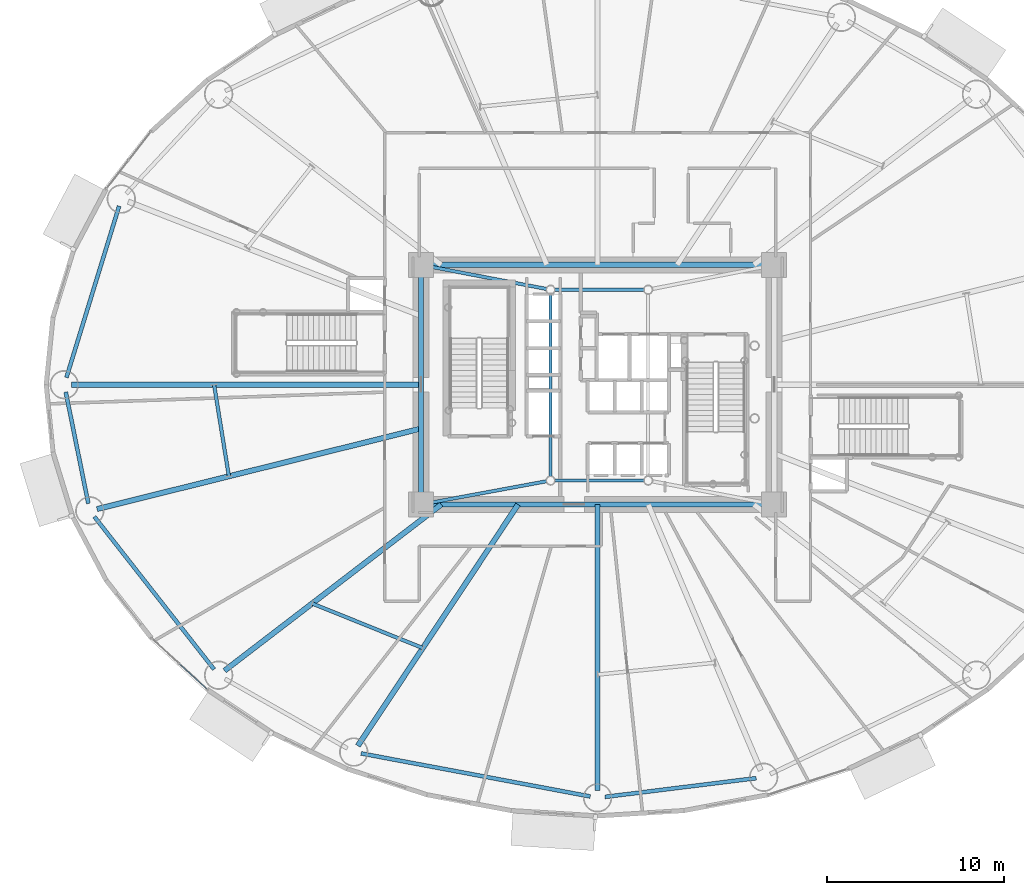
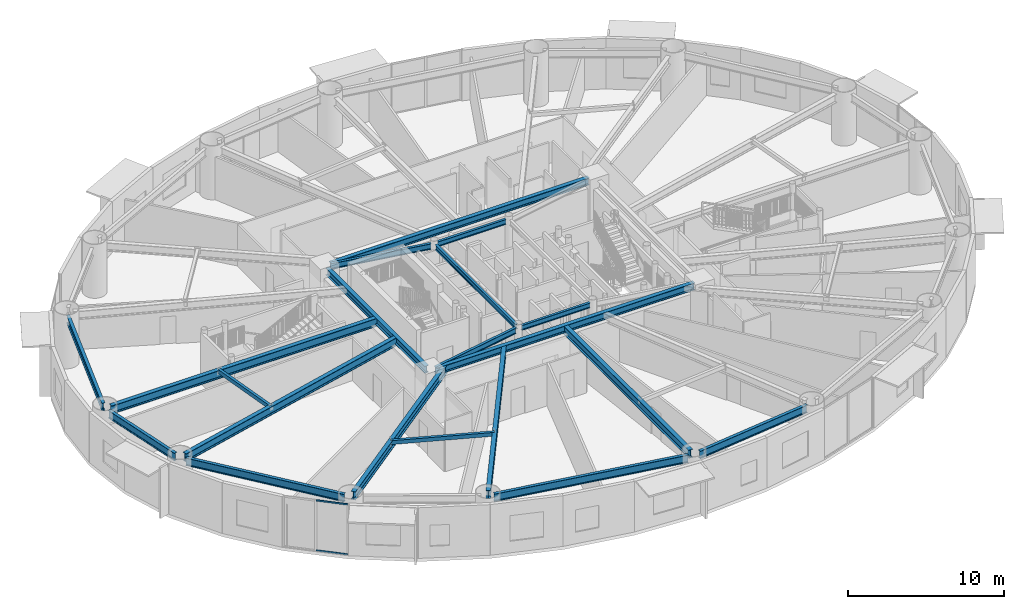
# One storey, part 5 of 32: 20 beams, 2 members, 1 element without a shape of its own.
"""IFC4 building model written with IfcOpenShell, lengths in metres."""

from ifc_helpers import new_model, si_unit, direction, frame, origin, origin_2d, place, context, subcontext, project, spatial, hollow_rectangle, i_section, extrude, source, transform, mapped, material, layer, layer_set, material_profile, profile_set, type_object, element, aggregate, save


model = new_model("IFC4")

# Units and contexts
model_context = context("Model", 3, precision=1e-05, world=origin(), true_north=direction((0.0, 1.0)))
body_context = subcontext(model_context, "Body", "Model", "MODEL_VIEW")
ifc_project = project(units=[si_unit("LENGTHUNIT", "METRE"), si_unit("AREAUNIT", "SQUARE_METRE"), si_unit("VOLUMEUNIT", "CUBIC_METRE"), si_unit("PLANEANGLEUNIT", "RADIAN"), si_unit("MASSUNIT", "GRAM", prefix="KILO")], contexts=[model_context])

# Site, building, storey
site_placement = place(None, origin())
site = spatial("IfcSite", under=ifc_project, at=site_placement, CompositionType="ELEMENT")
building_placement = place(site_placement, origin())
building = spatial("IfcBuilding", under=site, at=building_placement, Name="Linh Dai School and Residence Tower", CompositionType="ELEMENT")
storey_placement = place(building_placement, frame((0.0, 0.0, 53.39990234375)))
storey = spatial("IfcBuildingStorey", under=building, at=storey_placement, Name="L12", CompositionType="ELEMENT", Elevation=53.39990234375)

# Beams
ifc_material_1 = material(Name="Structural Steel S355JR", Category="steel")
ifc_material_profile_1 = material_profile(ifc_material_1, hollow_rectangle(XDim=0.199951171875, YDim=0.300048828125, WallThickness=0.010009765625, at=origin_2d()), Name="RHS 300x200x10")
ifc_profile_set_1 = profile_set([ifc_material_profile_1], Name="Structural Steel S355JR")
beam_type_1 = type_object("IfcBeamType", Name="BM-BX3", PredefinedType="BEAM", material=ifc_profile_set_1)
beam_1_placement = place(storey_placement, frame((14.392822265625, 26.9951171875, 3.800048828125), z_axis=(0.159632523434, -0.987176507754, 0.0), x_axis=(0.987176507754, 0.159632523434, 0.0)))
element("IfcBeam", 1, at=beam_1_placement, inside=storey, type_object=beam_type_1, Name="L12 Secondary Circumferential Floor Beam 05", PredefinedType="BEAM", context=body_context, shape_type="SweptSolid", body=[
    extrude(hollow_rectangle(XDim=0.199951171875, YDim=0.300048828125, WallThickness=0.010009765625, at=origin_2d()), origin(), (0.0, 0.0, 1.0), 5.21826171875),
])
beam_2_placement = place(storey_placement, frame((19.921875, 14.6689453125, 3.800048828125), z_axis=(0.927542803202, -0.373716935968, 0.0), x_axis=(0.373716935968, 0.927542803202, 0.0)))
element("IfcBeam", 2, at=beam_2_placement, inside=storey, type_object=beam_type_1, Name="L12 Secondary Circumferential Floor Beam 06", PredefinedType="BEAM", context=body_context, shape_type="SweptSolid", body=[
    extrude(hollow_rectangle(XDim=0.199951171875, YDim=0.300048828125, WallThickness=0.010009765625, at=origin_2d()), origin(), (0.0, 0.0, 1.0), 6.709716796875),
])
ifc_material_profile_2 = material_profile(ifc_material_1, i_section(OverallWidth=0.219970703125, OverallDepth=0.60009765625, WebThickness=0.011962890625, FlangeThickness=0.01904296875, FilletRadius=0.02392578125, at=origin_2d()), Name="IPE 600")
ifc_profile_set_2 = profile_set([ifc_material_profile_2], Name="Structural Steel S355JR")
beam_type_2 = type_object("IfcBeamType", Name="BM-RB60", PredefinedType="BEAM", material=ifc_profile_set_2)
beam_3_placement = place(storey_placement, frame((9.041259765625, 37.062255859375, 3.650146484375), z_axis=(-0.293673329015, -0.95590584046, 0.0), x_axis=(0.95590584046, -0.293673329015, 0.0)))
element("IfcBeam", 3, at=beam_3_placement, inside=storey, type_object=beam_type_2, Name="L12 Perimeter Elliptical Ring Beam 08", PredefinedType="BEAM", context=body_context, shape_type="SweptSolid", body=[
    extrude(i_section(OverallWidth=0.219970703125, OverallDepth=0.60009765625, WebThickness=0.011962890625, FlangeThickness=0.01904296875, FilletRadius=0.02392578125, at=origin_2d()), origin(), (0.0, 0.0, 1.0), 10.1064453125),
])
beam_4_placement = place(storey_placement, frame((6.033447265625, 26.58837890625, 3.650146484375), z_axis=(0.198429171022, -0.980115230005, 0.0), x_axis=(0.980115230005, 0.198429171022, 0.0)))
element("IfcBeam", 4, at=beam_4_placement, inside=storey, type_object=beam_type_2, Name="L12 Perimeter Elliptical Ring Beam 09", PredefinedType="BEAM", context=body_context, shape_type="SweptSolid", body=[
    extrude(i_section(OverallWidth=0.219970703125, OverallDepth=0.60009765625, WebThickness=0.011962890625, FlangeThickness=0.01904296875, FilletRadius=0.02392578125, at=origin_2d()), origin(), (0.0, 0.0, 1.0), 6.41259765625),
])
beam_5_placement = place(storey_placement, frame((7.648193359375, 19.560791015625, 3.650146484375), z_axis=(0.616878670407, -0.787058260866, 0.0), x_axis=(0.787058260866, 0.616878670407, 0.0)))
element("IfcBeam", 5, at=beam_5_placement, inside=storey, type_object=beam_type_2, Name="L12 Perimeter Elliptical Ring Beam 10", PredefinedType="BEAM", context=body_context, shape_type="SweptSolid", body=[
    extrude(i_section(OverallWidth=0.219970703125, OverallDepth=0.60009765625, WebThickness=0.011962890625, FlangeThickness=0.01904296875, FilletRadius=0.02392578125, at=origin_2d()), origin(), (0.0, 0.0, 1.0), 10.926025390625),
])
beam_6_placement = place(storey_placement, frame((22.67431640625, 6.223388671875, 3.650146484375), z_axis=(0.982808389171, -0.184628465236, 0.0), x_axis=(0.184628465236, 0.982808389171, 0.0)))
element("IfcBeam", 6, at=beam_6_placement, inside=storey, type_object=beam_type_2, Name="L12 Perimeter Elliptical Ring Beam 12", PredefinedType="BEAM", context=body_context, shape_type="SweptSolid", body=[
    extrude(i_section(OverallWidth=0.219970703125, OverallDepth=0.60009765625, WebThickness=0.011962890625, FlangeThickness=0.01904296875, FilletRadius=0.02392578125, at=origin_2d()), origin(), (0.0, 0.0, 1.0), 13.138671875),
])
beam_7_placement = place(storey_placement, frame((36.416748046875, 3.771728515625, 3.650146484375), z_axis=(0.99240113372, 0.123044665842, 0.0), x_axis=(-0.123044665842, 0.99240113372, 0.0)))
element("IfcBeam", 7, at=beam_7_placement, inside=storey, type_object=beam_type_2, Name="L12 Perimeter Elliptical Ring Beam 13", PredefinedType="BEAM", context=body_context, shape_type="SweptSolid", body=[
    extrude(i_section(OverallWidth=0.219970703125, OverallDepth=0.60009765625, WebThickness=0.011962890625, FlangeThickness=0.01904296875, FilletRadius=0.02392578125, at=origin_2d()), origin(), (0.0, 0.0, 1.0), 8.58935546875),
])
ifc_material_profile_3 = material_profile(ifc_material_1, i_section(OverallWidth=0.300048828125, OverallDepth=0.550048828125, WebThickness=0.014892578125, FlangeThickness=0.029052734375, FilletRadius=0.027099609375, at=origin_2d()), Name="HEB 550")
ifc_profile_set_3 = profile_set([ifc_material_profile_3], Name="Structural Steel S355JR")
beam_type_3 = type_object("IfcBeamType", Name="BM-RG55", PredefinedType="BEAM", material=ifc_profile_set_3)
for number, where, z_axis, x_axis, name in (
    (8, (26.469970703125, 20.25, 3.675048828125), (1.0, 0.0, 0.0), (0.0, 1.0, 0.0), "L12 Core Perimeter Coupling Girder 1"),
    (9, (45.530029296875, 33.75, 3.675048828125), (-1.0, 0.0, 0.0), (0.0, -1.0, 0.0), "L12 Core Perimeter Coupling Girder 3"),
):
    element("IfcBeam", number, at=place(storey_placement, frame(where, z_axis=z_axis, x_axis=x_axis)), inside=storey, type_object=beam_type_3, Name=name, PredefinedType="BEAM", context=body_context, shape_type="SweptSolid", body=[
        extrude(i_section(OverallWidth=0.300048828125, OverallDepth=0.550048828125, WebThickness=0.014892578125, FlangeThickness=0.029052734375, FilletRadius=0.027099609375, at=origin_2d()), origin(), (0.0, 0.0, 1.0), 19.06005859375),
    ])
beam_8_placement = place(storey_placement, frame((26.050048828125, 33.330078125, 3.675048828125), z_axis=(0.0, -1.0, 0.0), x_axis=(1.0, 0.0, 0.0)))
element("IfcBeam", 10, at=beam_8_placement, inside=storey, type_object=beam_type_3, Name="L12 Core Perimeter Coupling Girder 4", PredefinedType="BEAM", context=body_context, shape_type="SweptSolid", body=[
    extrude(i_section(OverallWidth=0.300048828125, OverallDepth=0.550048828125, WebThickness=0.014892578125, FlangeThickness=0.029052734375, FilletRadius=0.027099609375, at=origin_2d()), origin(), (0.0, 0.0, 1.0), 12.66015625),
])
ifc_material_profile_4 = material_profile(ifc_material_1, i_section(OverallWidth=0.300048828125, OverallDepth=0.64990234375, WebThickness=0.01611328125, FlangeThickness=0.031005859375, FilletRadius=0.027099609375, at=origin_2d()), Name="HEB 650")
ifc_profile_set_4 = profile_set([ifc_material_profile_4], Name="Structural Steel S355JR")
beam_type_4 = type_object("IfcBeamType", Name="BM-RG65", PredefinedType="BEAM", material=ifc_profile_set_4)
beam_9_placement = place(storey_placement, frame((26.050048828125, 27.0, 3.625), z_axis=(-1.0, 0.0, 0.0), x_axis=(0.0, -1.0, 0.0)))
element("IfcBeam", 11, at=beam_9_placement, inside=storey, type_object=beam_type_4, Name="L12 Primary Radial Floor Girder 09", PredefinedType="BEAM", context=body_context, shape_type="SweptSolid", body=[
    extrude(i_section(OverallWidth=0.300048828125, OverallDepth=0.64990234375, WebThickness=0.01611328125, FlangeThickness=0.031005859375, FilletRadius=0.027099609375, at=origin_2d()), origin(), (0.0, 0.0, 1.0), 19.679931640625),
])
beam_10_placement = place(storey_placement, frame((26.050048828125, 24.52783203125, 3.625), z_axis=(-0.970493481328, -0.241127357843, 0.0), x_axis=(0.241127357843, -0.970493481328, 0.0)))
element("IfcBeam", 12, at=beam_10_placement, inside=storey, type_object=beam_type_4, Name="L12 Primary Radial Floor Girder 10", PredefinedType="BEAM", context=body_context, shape_type="SweptSolid", body=[
    extrude(i_section(OverallWidth=0.300048828125, OverallDepth=0.64990234375, WebThickness=0.01611328125, FlangeThickness=0.031005859375, FilletRadius=0.027099609375, at=origin_2d()), origin(), (0.0, 0.0, 1.0), 18.80810546875),
])
beam_11_placement = place(storey_placement, frame((27.195068359375, 20.25, 3.625), z_axis=(-0.793637764155, -0.608390581212, 0.0), x_axis=(0.608390581212, -0.793637764155, 0.0)))
element("IfcBeam", 13, at=beam_11_placement, inside=storey, type_object=beam_type_4, Name="L12 Primary Radial Floor Girder 11", PredefinedType="BEAM", context=body_context, shape_type="SweptSolid", body=[
    extrude(i_section(OverallWidth=0.300048828125, OverallDepth=0.64990234375, WebThickness=0.01611328125, FlangeThickness=0.031005859375, FilletRadius=0.027099609375, at=origin_2d()), origin(), (0.0, 0.0, 1.0), 15.390625),
])
beam_12_placement = place(storey_placement, frame((31.52001953125, 20.25, 3.625), z_axis=(-0.55300421354, -0.833178456158, 0.0), x_axis=(0.833178456158, -0.55300421354, 0.0)))
element("IfcBeam", 14, at=beam_12_placement, inside=storey, type_object=beam_type_4, Name="L12 Primary Radial Floor Girder 12", PredefinedType="BEAM", context=body_context, shape_type="SweptSolid", body=[
    extrude(i_section(OverallWidth=0.300048828125, OverallDepth=0.64990234375, WebThickness=0.01611328125, FlangeThickness=0.031005859375, FilletRadius=0.027099609375, at=origin_2d()), origin(), (0.0, 0.0, 1.0), 16.322021484375),
])
beam_13_placement = place(storey_placement, frame((36.0, 20.25, 3.625), z_axis=(0.0, -1.0, 0.0), x_axis=(1.0, 0.0, 0.0)))
element("IfcBeam", 15, at=beam_13_placement, inside=storey, type_object=beam_type_4, Name="L12 Primary Radial Floor Girder 13", PredefinedType="BEAM", context=body_context, shape_type="SweptSolid", body=[
    extrude(i_section(OverallWidth=0.300048828125, OverallDepth=0.64990234375, WebThickness=0.01611328125, FlangeThickness=0.031005859375, FilletRadius=0.027099609375, at=origin_2d()), origin(), (0.0, 0.0, 1.0), 16.110107421875),
])
ifc_material_profile_5 = material_profile(ifc_material_1, i_section(OverallWidth=0.179931640625, OverallDepth=0.39990234375, WebThickness=0.008544921875, FlangeThickness=0.013427734375, FilletRadius=0.02099609375, at=origin_2d()), Name="IPE 400")
ifc_profile_set_5 = profile_set([ifc_material_profile_5], Name="Structural Steel S355JR")
beam_type_5 = type_object("IfcBeamType", Name="BM-SB40", PredefinedType="BEAM", material=ifc_profile_set_5)
for number, where, z_axis, x_axis, name in (
    (16, (33.573974609375, 21.60009765625, 3.75), (1.0, 0.0, 0.0), (0.0, 1.0, 0.0), "L12 Core Mast Pier Tie Beam 1"),
    (17, (38.6259765625, 32.35009765625, 3.75), (-1.0, 0.0, 0.0), (0.0, -1.0, 0.0), "L12 Core Mast Pier Tie Beam 3"),
):
    element("IfcBeam", number, at=place(storey_placement, frame(where, z_axis=z_axis, x_axis=x_axis)), inside=storey, type_object=beam_type_5, Name=name, PredefinedType="BEAM", context=body_context, shape_type="SweptSolid", body=[
        extrude(i_section(OverallWidth=0.179931640625, OverallDepth=0.39990234375, WebThickness=0.008544921875, FlangeThickness=0.013427734375, FilletRadius=0.02099609375, at=origin_2d()), origin(), (0.0, 0.0, 1.0), 5.052001953125),
    ])
beam_14_placement = place(storey_placement, frame((33.35009765625, 32.1259765625, 3.75), z_axis=(0.0, -1.0, 0.0), x_axis=(1.0, 0.0, 0.0)))
element("IfcBeam", 18, at=beam_14_placement, inside=storey, type_object=beam_type_5, Name="L12 Core Mast Pier Tie Beam 4", PredefinedType="BEAM", context=body_context, shape_type="SweptSolid", body=[
    extrude(i_section(OverallWidth=0.179931640625, OverallDepth=0.39990234375, WebThickness=0.008544921875, FlangeThickness=0.013427734375, FilletRadius=0.02099609375, at=origin_2d()), origin(), (0.0, 0.0, 1.0), 10.302001953125),
])
ifc_material_profile_6 = material_profile(ifc_material_1, i_section(OverallWidth=0.18994140625, OverallDepth=0.449951171875, WebThickness=0.009521484375, FlangeThickness=0.0146484375, FilletRadius=0.02099609375, at=origin_2d()), Name="IPE 450")
ifc_profile_set_6 = profile_set([ifc_material_profile_6], Name="Structural Steel S355JR")
beam_type_6 = type_object("IfcBeamType", Name="BM-SB45", PredefinedType="BEAM", material=ifc_profile_set_6)
beam_15_placement = place(storey_placement, frame((26.462890625, 20.326416015625, 3.72509765625), z_axis=(0.983326152819, 0.18185070025, 0.0), x_axis=(-0.18185070025, 0.983326152819, 0.0)))
element("IfcBeam", 19, at=beam_15_placement, inside=storey, type_object=beam_type_6, Name="L12 Core Corner-to-Mast Pier Beam 1", PredefinedType="BEAM", context=body_context, shape_type="SweptSolid", body=[
    extrude(i_section(OverallWidth=0.18994140625, OverallDepth=0.449951171875, WebThickness=0.009521484375, FlangeThickness=0.0146484375, FilletRadius=0.02099609375, at=origin_2d()), origin(), (0.0, 0.0, 1.0), 6.77978515625),
])
beam_16_placement = place(storey_placement, frame((26.46240234375, 33.6708984375, 3.72509765625), z_axis=(0.982100456787, -0.188357884832, 0.0), x_axis=(0.188357884832, 0.982100456787, 0.0)))
element("IfcBeam", 20, at=beam_16_placement, inside=storey, type_object=beam_type_6, Name="L12 Core Corner-to-Mast Pier Beam 4", PredefinedType="BEAM", context=body_context, shape_type="SweptSolid", body=[
    extrude(i_section(OverallWidth=0.18994140625, OverallDepth=0.449951171875, WebThickness=0.009521484375, FlangeThickness=0.0146484375, FilletRadius=0.02099609375, at=origin_2d()), origin(), (0.0, 0.0, 1.0), 6.789306640625),
])

# Curtain wall, members
ifc_material_2 = material(Name="Aluminium Anodised Curtain Wall", Category="aluminium")
ifc_layer = layer(ifc_material_2, 0.159912109375)
ifc_layer_set = layer_set([ifc_layer], Name="Aluminium Anodised Curtain Wall")
curtain_wall_type = type_object("IfcCurtainWallType", Name="CW-SYS-3", PredefinedType="USERDEFINED", material=ifc_layer_set)
curtain_wall_placement = place(storey_placement, origin())
curtain_wall = element("IfcCurtainWall", 21, at=curtain_wall_placement, inside=storey, type_object=curtain_wall_type, Name="L12 CW3 Curtain Wall 25", ObjectType="RIBBON CURTAIN WALL", PredefinedType="USERDEFINED")
ifc_material_3 = material(Name="Aluminium Alloy 6063-T6", Category="aluminium")
ifc_material_profile_7 = material_profile(ifc_material_3, hollow_rectangle(XDim=0.054931640625, YDim=0.1201171875, WallThickness=0.00390625, at=origin_2d()), Name="RHS 120x55x4")
ifc_profile_set_7 = profile_set([ifc_material_profile_7], Name="Aluminium Alloy 6063-T6")
member_type = type_object("IfcMemberType", Name="CW-SYS-3-TRN", PredefinedType="USERDEFINED", material=ifc_profile_set_7)
shared_shape = source(origin(), body_context, "Body", "SweptSolid", [
    extrude(hollow_rectangle(XDim=0.054931640625, YDim=0.1201171875, WallThickness=0.00390625, at=origin_2d()), origin(), (0.0, 0.0, 1.0), 2.064453125),
])
member_1_placement = place(storey_placement, frame((13.974853515625, 9.861083984375, 0.027587890625), z_axis=(-0.737129594686, 0.675751404466, 0.0), x_axis=(-0.675751404466, -0.737129594686, 0.0)))
member_1 = element("IfcMember", 22, at=member_1_placement, type_object=member_type, Name="CW3 transom 1.1", ObjectType="TRANSOM", PredefinedType="USERDEFINED", context=body_context, shape_type="MappedRepresentation", body=[
    mapped(shared_shape, transform((0.0, 0.0, 0.0), x_axis=(1.0, 0.0, 0.0), y_axis=(0.0, 1.0, 0.0), z_axis=(0.0, 0.0, 1.0), scale=1.0)),
])
member_2_placement = place(storey_placement, frame((13.974853515625, 9.861083984375, 3.922607421875), z_axis=(-0.737129594686, 0.675751404466, 0.0), x_axis=(-0.675751404466, -0.737129594686, 0.0)))
member_2 = element("IfcMember", 23, at=member_2_placement, type_object=member_type, Name="CW3 transom 1.2", ObjectType="TRANSOM", PredefinedType="USERDEFINED", context=body_context, shape_type="MappedRepresentation", body=[
    mapped(shared_shape, transform((0.0, 0.0, 0.0), x_axis=(1.0, 0.0, 0.0), y_axis=(0.0, 1.0, 0.0), z_axis=(0.0, 0.0, 1.0), scale=1.0)),
])
aggregate(curtain_wall, [member_1, member_2])

save(model, "model.ifc")
